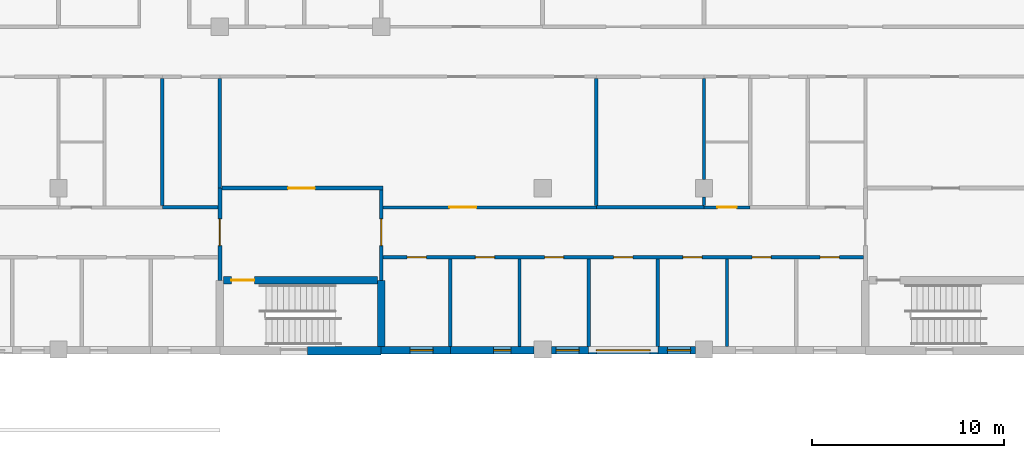
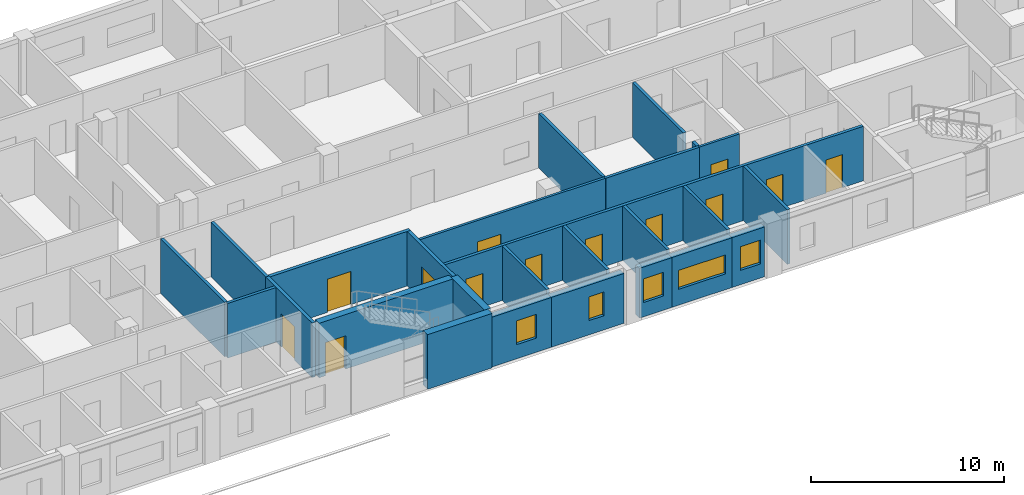
# One storey, part 61 of 94: 26 walls, 13 doors, 5 windows, 18 openings.
"""IFC4 building model written with IfcOpenShell, lengths in metres."""

import ifcopenshell
import ifcopenshell.guid

model = None  # the IFC model being written
_history = None  # IfcOwnerHistory: only IFC2X3 demands one
_inside = {}  # id of a spatial element -> (the spatial element, [elements in it])
_under = {}  # id of a project, library or spatial element -> (it, [spatial elements below it])
_declared = {}  # id of a project -> (the project, [libraries it declares])
_typed = {}  # id of a type object -> (the type object, [elements of that type])
_made_of = {}  # id of a material, layer set ... -> (it, [elements and type objects made of it])


def new_model(schema):
    """Start an empty IFC model of exactly this schema.

    Asked for "IFC4X3", IfcOpenShell would pick the latest addendum, in which some entities
    have other attributes; the version numbers below select the first issue.
    IFC2X3 requires an IfcOwnerHistory on every rooted entity: one is made here for all.
    """
    global model, _history
    if schema == "IFC4X3":
        model = ifcopenshell.file(schema_version=(4, 3, 0, 0))
    else:
        model = ifcopenshell.file(schema=schema)
    _inside.clear()
    _under.clear()
    _declared.clear()
    _typed.clear()
    _made_of.clear()
    _history = None
    if model.schema == "IFC2X3":
        org = make("IfcOrganization", Name="unknown")
        user = make(
            "IfcPersonAndOrganization",
            ThePerson=make("IfcPerson", FamilyName="unknown"),
            TheOrganization=org,
        )
        app = make(
            "IfcApplication",
            ApplicationDeveloper=org,
            Version="unknown",
            ApplicationFullName="unknown",
            ApplicationIdentifier="unknown",
        )
        _history = make(
            "IfcOwnerHistory",
            OwningUser=user,
            OwningApplication=app,
            ChangeAction="ADDED",
            CreationDate=0,
        )
    return model


def make(cls, **values):
    """One entity of the class cls with the attributes given. An attribute that is None is left unset."""
    return model.create_entity(
        cls, **{name: value for name, value in values.items() if value is not None}
    )


def rooted(cls, **values):
    """An entity with a GlobalId (a new one), such as an element, a storey or a relation."""
    return make(cls, GlobalId=ifcopenshell.guid.new(), OwnerHistory=_history, **values)


def si_unit(unit_type, name, prefix=None):
    """IfcSIUnit, for example si_unit("LENGTHUNIT", "METRE", prefix="MILLI")."""
    return make("IfcSIUnit", UnitType=unit_type, Prefix=prefix, Name=name)


def assignment(units):
    """IfcUnitAssignment: the units of a project."""
    return None if units is None else make("IfcUnitAssignment", Units=units)


def point(xyz):
    """IfcCartesianPoint."""
    return None if xyz is None else make("IfcCartesianPoint", Coordinates=xyz)


def direction(xyz):
    """IfcDirection."""
    return None if xyz is None else make("IfcDirection", DirectionRatios=xyz)


def frame(location, z_axis=None, x_axis=None):
    """IfcAxis2Placement3D, a coordinate frame: its origin and axes. An axis left out is left unset."""
    return make(
        "IfcAxis2Placement3D",
        Location=point(location),
        Axis=direction(z_axis),
        RefDirection=direction(x_axis),
    )


def frame_2d(location, x_axis=None):
    """IfcAxis2Placement2D, a coordinate frame in the plane: its origin and x axis."""
    return make(
        "IfcAxis2Placement2D", Location=point(location), RefDirection=direction(x_axis)
    )


def origin():
    """The frame at (0, 0, 0) with its axes left unset."""
    return frame((0.0, 0.0, 0.0))


def place(relative_to, where):
    """IfcLocalPlacement: puts the frame where relative to a parent placement (None: the world)."""
    return make(
        "IfcLocalPlacement", PlacementRelTo=relative_to, RelativePlacement=where
    )


def context(
    kind, dimensions, precision=None, world=None, true_north=None, identifier=None
):
    """IfcGeometricRepresentationContext, for example the 3D "Model" context."""
    return make(
        "IfcGeometricRepresentationContext",
        ContextIdentifier=identifier,
        ContextType=kind,
        CoordinateSpaceDimension=dimensions,
        Precision=precision,
        WorldCoordinateSystem=world,
        TrueNorth=true_north,
    )


def subcontext(parent, identifier, kind, view, scale=None):
    """IfcGeometricRepresentationSubContext, for example "Body" below "Model"."""
    return make(
        "IfcGeometricRepresentationSubContext",
        ContextIdentifier=identifier,
        ContextType=kind,
        ParentContext=parent,
        TargetScale=scale,
        TargetView=view,
    )


def project(units=None, contexts=None):
    """IfcProject with its units and contexts."""
    return rooted(
        "IfcProject",
        Name="project",
        RepresentationContexts=contexts,
        UnitsInContext=assignment(units),
    )


def spatial(cls, under=None, at=None, **own):
    """A site, building, storey or space (cls), placed at a placement, below another one or the project."""
    s = rooted(cls, ObjectPlacement=at, **own)
    if under is not None:
        _under.setdefault(under.id(), (under, []))[1].append(s)
    return s


def profile(cls, at=None, kind="AREA", **sizes):
    """A parametric profile (cls). Its sizes go by their IFC names, for example OverallWidth=200.0."""
    return make(cls, ProfileType=kind, Position=at, **sizes)


def rectangle(**sizes):
    """IfcRectangleProfileDef."""
    return profile("IfcRectangleProfileDef", **sizes)


def extrude(swept, where, along, depth):
    """IfcExtrudedAreaSolid: the profile swept, set in the frame where, extruded along a direction by depth."""
    return make(
        "IfcExtrudedAreaSolid",
        SweptArea=swept,
        Position=where,
        ExtrudedDirection=direction(along),
        Depth=depth,
    )


def shape(context_of_items, identifier, shape_type, items):
    """IfcShapeRepresentation: the items that make up one representation, for example the "Body"."""
    return make(
        "IfcShapeRepresentation",
        ContextOfItems=context_of_items,
        RepresentationIdentifier=identifier,
        RepresentationType=shape_type,
        Items=items,
    )


def material(Name=None, Category=None):
    """IfcMaterial."""
    return make("IfcMaterial", Name=Name, Category=Category)


def layer(
    of_material, thickness, ventilated=None, Name=None, Category=None, Priority=None
):
    """IfcMaterialLayer: one layer of a wall or slab, of a material (None: an air gap)."""
    return make(
        "IfcMaterialLayer",
        Material=of_material,
        LayerThickness=thickness,
        IsVentilated=ventilated,
        Name=Name,
        Category=Category,
        Priority=Priority,
    )


def layer_set(layers, Name=None):
    """IfcMaterialLayerSet."""
    return make("IfcMaterialLayerSet", MaterialLayers=layers, LayerSetName=Name)


def made_of(thing, what):
    """Note that an element or type object is made of a material, layer set ...; save() writes the relation."""
    if what is not None:
        _made_of.setdefault(what.id(), (what, []))[1].append(thing)
    return thing


def type_object(cls, material=None, **own):
    """A type object (cls), such as IfcWallType, which elements share."""
    return made_of(rooted(cls, **own), material)


def element(
    cls,
    number,
    at=None,
    inside=None,
    cuts=None,
    type_object=None,
    material=None,
    context=None,
    identifier="Body",
    shape_type=None,
    held_by="IfcProductDefinitionShape",
    body=None,
    shapes=None,
    **own,
):
    """One element of the class cls, such as IfcWall. Its Tag is "e" and its number.

    at: its placement. inside: the storey or other place that contains it. cuts: it is an
    opening in that element (IfcRelVoidsElement). A single representation is given by context,
    identifier, shape_type and body (its items); several are given by shapes. held_by: the class
    of the entity that holds the representations. save() writes the other relations.
    """
    e = rooted(cls, Tag="e%d" % number, ObjectPlacement=at, **own)
    if body is not None:
        shapes = [shape(context, identifier, shape_type, body)]
    if shapes is not None:
        e.Representation = make(held_by, Representations=shapes)
    if inside is not None:
        _inside.setdefault(inside.id(), (inside, []))[1].append(e)
    if cuts is not None:
        rooted(
            "IfcRelVoidsElement", RelatingBuildingElement=cuts, RelatedOpeningElement=e
        )
    if type_object is not None:
        _typed.setdefault(type_object.id(), (type_object, []))[1].append(e)
    return made_of(e, material)


def fill(opening, filler):
    """IfcRelFillsElement: the door or window that sits in an opening."""
    return rooted(
        "IfcRelFillsElement",
        RelatingOpeningElement=opening,
        RelatedBuildingElement=filler,
    )


def aggregate(whole, parts):
    """IfcRelAggregates: a whole, such as a stair, and the parts it consists of."""
    return rooted("IfcRelAggregates", RelatingObject=whole, RelatedObjects=parts)


def save(model, path):
    """Write the relations noted so far, then the file.

    IfcRelAggregates (storeys below a building ...), IfcRelContainedInSpatialStructure (elements
    in a storey), IfcRelDefinesByType, IfcRelAssociatesMaterial and IfcRelDeclares: one each for
    every whole, place, type object, material and project.
    """
    for whole, parts in _under.values():
        aggregate(whole, parts)
    for where, things in _inside.values():
        rooted(
            "IfcRelContainedInSpatialStructure",
            RelatedElements=things,
            RelatingStructure=where,
        )
    for kind, things in _typed.values():
        rooted("IfcRelDefinesByType", RelatedObjects=things, RelatingType=kind)
    for what, things in _made_of.values():
        rooted("IfcRelAssociatesMaterial", RelatedObjects=things, RelatingMaterial=what)
    for by, libraries in _declared.values():
        rooted("IfcRelDeclares", RelatingContext=by, RelatedDefinitions=libraries)
    model.write(path)


model = new_model("IFC4")

# Units and contexts
model_context = context("Model", 3, precision=1e-05, world=origin(), true_north=direction((0.0, 1.0)))
body_context = subcontext(model_context, "Body", "Model", "MODEL_VIEW")
ifc_project = project(units=[si_unit("LENGTHUNIT", "METRE"), si_unit("AREAUNIT", "SQUARE_METRE"), si_unit("VOLUMEUNIT", "CUBIC_METRE"), si_unit("PLANEANGLEUNIT", "RADIAN"), si_unit("MASSUNIT", "GRAM", prefix="KILO")], contexts=[model_context])

# Site, building, storey
site_placement = place(None, origin())
site = spatial("IfcSite", under=ifc_project, at=site_placement, CompositionType="ELEMENT")
building_placement = place(site_placement, origin())
building = spatial("IfcBuilding", under=site, at=building_placement, Name="Yavir Park General Hospital", CompositionType="ELEMENT")
storey_placement = place(building_placement, frame((0.0, 0.0, 4.5)))
storey = spatial("IfcBuildingStorey", under=building, at=storey_placement, Name="L01", CompositionType="ELEMENT", Elevation=4.5)

# Wall, openings, doors
ifc_material_1 = material(Name="Double-leaf gypsum board acoustic partition on staggered studs")
ifc_layer_1 = layer(ifc_material_1, 0.175048828125)
ifc_layer_set_1 = layer_set([ifc_layer_1], Name="Double-leaf gypsum board acoustic partition on staggered studs")
wall_type_1 = type_object("IfcWallType", Name="Acoustic partition 175", PredefinedType="PARTITIONING", material=ifc_layer_set_1)
wall_1_placement = place(storey_placement, frame((109.300048828125, 4.800048828125, 0.0), z_axis=(0.0, 0.0, 1.0), x_axis=(1.0, 0.0, 0.0)))
wall_1 = element("IfcWall", 1, at=wall_1_placement, inside=storey, type_object=wall_type_1, Name="AP175 L01-008", PredefinedType="PARTITIONING", context=body_context, shape_type="SweptSolid", body=[
    extrude(rectangle(XDim=25.0, YDim=0.175048828125, at=frame_2d((12.5, 0.0))), origin(), (0.0, 0.0, 1.0), 3.449951171875),
])
opening_1_placement = place(wall_1_placement, frame((1.25, 0.0, 0.0)))
opening_1 = element("IfcOpeningElement", 2, at=opening_1_placement, cuts=wall_1, Name="Opening L01.D020", PredefinedType="OPENING", context=body_context, shape_type="SweptSolid", body=[
    extrude(rectangle(XDim=1.0, YDim=2.10009765625, at=frame_2d((0.5, 1.050048828125))), frame((0.0, 0.097412109375, 0.0), z_axis=(0.0, -1.0, 0.0), x_axis=(1.0, 0.0, 0.0)), (0.0, 0.0, 1.0), 0.195068359375),
])
opening_2_placement = place(wall_1_placement, frame((4.800048828125, 0.0, 0.0)))
opening_2 = element("IfcOpeningElement", 3, at=opening_2_placement, cuts=wall_1, Name="Opening L01.D021", PredefinedType="OPENING", context=body_context, shape_type="SweptSolid", body=[
    extrude(rectangle(XDim=1.0, YDim=2.10009765625, at=frame_2d((0.5, 1.050048828125))), frame((0.0, 0.097412109375, 0.0), z_axis=(0.0, -1.0, 0.0), x_axis=(1.0, 0.0, 0.0)), (0.0, 0.0, 1.0), 0.195068359375),
])
opening_3_placement = place(wall_1_placement, frame((8.39990234375, 0.0, 0.0)))
opening_3 = element("IfcOpeningElement", 4, at=opening_3_placement, cuts=wall_1, Name="Opening L01.D022", PredefinedType="OPENING", context=body_context, shape_type="SweptSolid", body=[
    extrude(rectangle(XDim=1.0, YDim=2.10009765625, at=frame_2d((0.5, 1.050048828125))), frame((0.0, 0.097412109375, 0.0), z_axis=(0.0, -1.0, 0.0), x_axis=(1.0, 0.0, 0.0)), (0.0, 0.0, 1.0), 0.195068359375),
])
opening_4_placement = place(wall_1_placement, frame((12.0, 0.0, 0.0)))
opening_4 = element("IfcOpeningElement", 5, at=opening_4_placement, cuts=wall_1, Name="Opening L01.D023", PredefinedType="OPENING", context=body_context, shape_type="SweptSolid", body=[
    extrude(rectangle(XDim=1.0, YDim=2.10009765625, at=frame_2d((0.5, 1.050048828125))), frame((0.0, 0.097412109375, 0.0), z_axis=(0.0, -1.0, 0.0), x_axis=(1.0, 0.0, 0.0)), (0.0, 0.0, 1.0), 0.195068359375),
])
opening_5_placement = place(wall_1_placement, frame((15.60009765625, 0.0, 0.0)))
opening_5 = element("IfcOpeningElement", 6, at=opening_5_placement, cuts=wall_1, Name="Opening L01.D024", PredefinedType="OPENING", context=body_context, shape_type="SweptSolid", body=[
    extrude(rectangle(XDim=1.0, YDim=2.10009765625, at=frame_2d((0.5, 1.050048828125))), frame((0.0, 0.097412109375, 0.0), z_axis=(0.0, -1.0, 0.0), x_axis=(1.0, 0.0, 0.0)), (0.0, 0.0, 1.0), 0.195068359375),
])
opening_6_placement = place(wall_1_placement, frame((19.199951171875, 0.0, 0.0)))
opening_6 = element("IfcOpeningElement", 7, at=opening_6_placement, cuts=wall_1, Name="Opening L01.D025", PredefinedType="OPENING", context=body_context, shape_type="SweptSolid", body=[
    extrude(rectangle(XDim=1.0, YDim=2.10009765625, at=frame_2d((0.5, 1.050048828125))), frame((0.0, 0.097412109375, 0.0), z_axis=(0.0, -1.0, 0.0), x_axis=(1.0, 0.0, 0.0)), (0.0, 0.0, 1.0), 0.195068359375),
])
opening_7_placement = place(wall_1_placement, frame((22.75, 0.0, 0.0)))
opening_7 = element("IfcOpeningElement", 8, at=opening_7_placement, cuts=wall_1, Name="Opening L01.D026", PredefinedType="OPENING", context=body_context, shape_type="SweptSolid", body=[
    extrude(rectangle(XDim=1.0, YDim=2.10009765625, at=frame_2d((0.5, 1.050048828125))), frame((0.0, 0.097412109375, 0.0), z_axis=(0.0, -1.0, 0.0), x_axis=(1.0, 0.0, 0.0)), (0.0, 0.0, 1.0), 0.195068359375),
])
ifc_material_2 = material(Name="Sealed solid-core acoustic door leaf, Rw 42 dB")
door_type_1 = type_object("IfcDoorType", Name="Acoustic door 1000 x 2100", OperationType="SINGLE_SWING_LEFT", PredefinedType="DOOR", material=ifc_material_2)
door_1_placement = place(opening_1_placement, origin())
door_1 = element("IfcDoor", 9, at=door_1_placement, inside=storey, type_object=door_type_1, Name="L01.D020", OperationType="SINGLE_SWING_RIGHT", OverallHeight=2.10009765625, OverallWidth=1.0, PredefinedType="DOOR", context=body_context, shape_type="SweptSolid", body=[
    extrude(rectangle(XDim=1.0, YDim=2.10009765625, at=frame_2d((0.5, 1.050048828125))), frame((0.0, 0.03515625, 0.0), z_axis=(0.0, -1.0, 0.0), x_axis=(1.0, 0.0, 0.0)), (0.0, 0.0, 1.0), 0.070068359375),
])
fill(opening_1, door_1)
door_2_placement = place(opening_2_placement, origin())
door_2 = element("IfcDoor", 10, at=door_2_placement, inside=storey, type_object=door_type_1, Name="L01.D021", OperationType="SINGLE_SWING_LEFT", OverallHeight=2.10009765625, OverallWidth=1.0, PredefinedType="DOOR", context=body_context, shape_type="SweptSolid", body=[
    extrude(rectangle(XDim=1.0, YDim=2.10009765625, at=frame_2d((0.5, 1.050048828125))), frame((0.0, 0.03515625, 0.0), z_axis=(0.0, -1.0, 0.0), x_axis=(1.0, 0.0, 0.0)), (0.0, 0.0, 1.0), 0.070068359375),
])
fill(opening_2, door_2)
door_3_placement = place(opening_3_placement, origin())
door_3 = element("IfcDoor", 11, at=door_3_placement, inside=storey, type_object=door_type_1, Name="L01.D022", OperationType="SINGLE_SWING_LEFT", OverallHeight=2.10009765625, OverallWidth=1.0, PredefinedType="DOOR", context=body_context, shape_type="SweptSolid", body=[
    extrude(rectangle(XDim=1.0, YDim=2.10009765625, at=frame_2d((0.5, 1.050048828125))), frame((0.0, 0.03515625, 0.0), z_axis=(0.0, -1.0, 0.0), x_axis=(1.0, 0.0, 0.0)), (0.0, 0.0, 1.0), 0.070068359375),
])
fill(opening_3, door_3)
door_4_placement = place(opening_4_placement, origin())
door_4 = element("IfcDoor", 12, at=door_4_placement, inside=storey, type_object=door_type_1, Name="L01.D023", OperationType="SINGLE_SWING_LEFT", OverallHeight=2.10009765625, OverallWidth=1.0, PredefinedType="DOOR", context=body_context, shape_type="SweptSolid", body=[
    extrude(rectangle(XDim=1.0, YDim=2.10009765625, at=frame_2d((0.5, 1.050048828125))), frame((0.0, 0.03515625, 0.0), z_axis=(0.0, -1.0, 0.0), x_axis=(1.0, 0.0, 0.0)), (0.0, 0.0, 1.0), 0.070068359375),
])
fill(opening_4, door_4)
door_5_placement = place(opening_5_placement, origin())
door_5 = element("IfcDoor", 13, at=door_5_placement, inside=storey, type_object=door_type_1, Name="L01.D024", OperationType="SINGLE_SWING_LEFT", OverallHeight=2.10009765625, OverallWidth=1.0, PredefinedType="DOOR", context=body_context, shape_type="SweptSolid", body=[
    extrude(rectangle(XDim=1.0, YDim=2.10009765625, at=frame_2d((0.5, 1.050048828125))), frame((0.0, 0.03515625, 0.0), z_axis=(0.0, -1.0, 0.0), x_axis=(1.0, 0.0, 0.0)), (0.0, 0.0, 1.0), 0.070068359375),
])
fill(opening_5, door_5)
door_6_placement = place(opening_6_placement, origin())
door_6 = element("IfcDoor", 14, at=door_6_placement, inside=storey, type_object=door_type_1, Name="L01.D025", OperationType="SINGLE_SWING_LEFT", OverallHeight=2.10009765625, OverallWidth=1.0, PredefinedType="DOOR", context=body_context, shape_type="SweptSolid", body=[
    extrude(rectangle(XDim=1.0, YDim=2.10009765625, at=frame_2d((0.5, 1.050048828125))), frame((0.0, 0.03515625, 0.0), z_axis=(0.0, -1.0, 0.0), x_axis=(1.0, 0.0, 0.0)), (0.0, 0.0, 1.0), 0.070068359375),
])
fill(opening_6, door_6)
door_7_placement = place(opening_7_placement, origin())
door_7 = element("IfcDoor", 15, at=door_7_placement, inside=storey, type_object=door_type_1, Name="L01.D026", OperationType="SINGLE_SWING_LEFT", OverallHeight=2.10009765625, OverallWidth=1.0, PredefinedType="DOOR", context=body_context, shape_type="SweptSolid", body=[
    extrude(rectangle(XDim=1.0, YDim=2.10009765625, at=frame_2d((0.5, 1.050048828125))), frame((0.0, 0.03515625, 0.0), z_axis=(0.0, -1.0, 0.0), x_axis=(1.0, 0.0, 0.0)), (0.0, 0.0, 1.0), 0.070068359375),
])
fill(opening_7, door_7)

# Walls
wall_2_placement = place(storey_placement, frame((97.800048828125, 7.39990234375, 0.0), z_axis=(0.0, 0.0, 1.0), x_axis=(1.0, 0.0, 0.0)))
element("IfcWall", 16, at=wall_2_placement, inside=storey, type_object=wall_type_1, Name="AP175 L01-023", PredefinedType="PARTITIONING", context=body_context, shape_type="SweptSolid", body=[
    extrude(rectangle(XDim=2.89990234375, YDim=0.175048828125, at=frame_2d((1.449951171875, 0.0))), origin(), (0.0, 0.0, 1.0), 3.449951171875),
])
wall_3_placement = place(storey_placement, frame((120.39990234375, 7.39990234375, 0.0), z_axis=(0.0, 0.0, 1.0), x_axis=(1.0, 0.0, 0.0)))
element("IfcWall", 17, at=wall_3_placement, inside=storey, type_object=wall_type_1, Name="AP175 L01-025", PredefinedType="PARTITIONING", context=body_context, shape_type="SweptSolid", body=[
    extrude(rectangle(XDim=5.60009765625, YDim=0.175048828125, at=frame_2d((2.800048828125, 0.0))), origin(), (0.0, 0.0, 1.0), 3.449951171875),
])
wall_4_placement = place(storey_placement, frame((97.800048828125, 7.487548828125, 0.0), z_axis=(0.0, 0.0, 1.0), x_axis=(0.0, 1.0, 0.0)))
element("IfcWall", 18, at=wall_4_placement, inside=storey, type_object=wall_type_1, Name="AP175 L01-409", PredefinedType="PARTITIONING", context=body_context, shape_type="SweptSolid", body=[
    extrude(rectangle(XDim=6.625, YDim=0.175048828125, at=frame_2d((3.3125, 0.0))), origin(), (0.0, 0.0, 1.0), 3.449951171875),
])
wall_5_placement = place(storey_placement, frame((100.800048828125, 8.39990234375, 0.0), z_axis=(0.0, 0.0, 1.0), x_axis=(0.0, 1.0, 0.0)))
element("IfcWall", 19, at=wall_5_placement, inside=storey, type_object=wall_type_1, Name="AP175 L01-414", PredefinedType="PARTITIONING", context=body_context, shape_type="SweptSolid", body=[
    extrude(rectangle(XDim=5.712646484375, YDim=0.175048828125, at=frame_2d((2.8564453125, 0.0))), origin(), (0.0, 0.0, 1.0), 3.449951171875),
])
for number, where, z_axis, x_axis, name in (
    (20, (112.800048828125, 0.14990234375, 0.0), (0.0, 0.0, 1.0), (0.0, 1.0, 0.0), "AP175 L01-423"),
    (21, (116.39990234375, 0.14990234375, 0.0), (0.0, 0.0, 1.0), (0.0, 1.0, 0.0), "AP175 L01-424"),
    (22, (120.0, 0.14990234375, 0.0), (0.0, 0.0, 1.0), (0.0, 1.0, 0.0), "AP175 L01-429"),
):
    element("IfcWall", number, at=place(storey_placement, frame(where, z_axis=z_axis, x_axis=x_axis)), inside=storey, type_object=wall_type_1, Name=name, PredefinedType="PARTITIONING", context=body_context, shape_type="SweptSolid", body=[
        extrude(rectangle(XDim=4.5625, YDim=0.175048828125, at=frame_2d((2.28125, 0.0))), origin(), (0.0, 0.0, 1.0), 3.449951171875),
    ])
wall_6_placement = place(storey_placement, frame((120.39990234375, 7.487548828125, 0.0), z_axis=(0.0, 0.0, 1.0), x_axis=(0.0, 1.0, 0.0)))
element("IfcWall", 23, at=wall_6_placement, inside=storey, type_object=wall_type_1, Name="AP175 L01-430", PredefinedType="PARTITIONING", context=body_context, shape_type="SweptSolid", body=[
    extrude(rectangle(XDim=6.625, YDim=0.175048828125, at=frame_2d((3.3125, 0.0))), origin(), (0.0, 0.0, 1.0), 3.449951171875),
])
wall_7_placement = place(storey_placement, frame((123.60009765625, 0.14990234375, 0.0), z_axis=(0.0, 0.0, 1.0), x_axis=(0.0, 1.0, 0.0)))
element("IfcWall", 24, at=wall_7_placement, inside=storey, type_object=wall_type_1, Name="AP175 L01-433", PredefinedType="PARTITIONING", context=body_context, shape_type="SweptSolid", body=[
    extrude(rectangle(XDim=4.5625, YDim=0.175048828125, at=frame_2d((2.28125, 0.0))), origin(), (0.0, 0.0, 1.0), 3.449951171875),
])
wall_8_placement = place(storey_placement, frame((126.0, 7.487548828125, 0.0), z_axis=(0.0, 0.0, 1.0), x_axis=(0.0, 1.0, 0.0)))
element("IfcWall", 25, at=wall_8_placement, inside=storey, type_object=wall_type_1, Name="AP175 L01-435", PredefinedType="PARTITIONING", context=body_context, shape_type="SweptSolid", body=[
    extrude(rectangle(XDim=0.46240234375, YDim=0.175048828125, at=frame_2d((0.231201171875, 0.0))), origin(), (0.0, 0.0, 1.0), 3.449951171875),
])
wall_9_placement = place(storey_placement, frame((126.0, 8.85009765625, 0.0), z_axis=(0.0, 0.0, 1.0), x_axis=(0.0, 1.0, 0.0)))
element("IfcWall", 26, at=wall_9_placement, inside=storey, type_object=wall_type_1, Name="AP175 L01-436", PredefinedType="PARTITIONING", context=body_context, shape_type="SweptSolid", body=[
    extrude(rectangle(XDim=5.262451171875, YDim=0.175048828125, at=frame_2d((2.63134765625, 0.0))), origin(), (0.0, 0.0, 1.0), 3.449951171875),
])
wall_10_placement = place(storey_placement, frame((127.199951171875, 0.14990234375, 0.0), z_axis=(0.0, 0.0, 1.0), x_axis=(0.0, 1.0, 0.0)))
element("IfcWall", 27, at=wall_10_placement, inside=storey, type_object=wall_type_1, Name="AP175 L01-440", PredefinedType="PARTITIONING", context=body_context, shape_type="SweptSolid", body=[
    extrude(rectangle(XDim=4.5625, YDim=0.175048828125, at=frame_2d((2.28125, 0.0))), origin(), (0.0, 0.0, 1.0), 3.449951171875),
])

# Wall, opening, door
ifc_material_3 = material(Name="Double gypsum board fire partition on steel studs", Category="steel")
ifc_layer_2 = layer(ifc_material_3, 0.199951171875)
ifc_layer_set_2 = layer_set([ifc_layer_2], Name="Double gypsum board fire partition on steel studs")
wall_type_2 = type_object("IfcWallType", Name="Fire-rated partition 200, EI 60", PredefinedType="PARTITIONING", material=ifc_layer_set_2)
wall_11_placement = place(storey_placement, frame((100.89990234375, 8.39990234375, 0.0), z_axis=(0.0, 0.0, 1.0), x_axis=(1.0, 0.0, 0.0)))
wall_11 = element("IfcWall", 28, at=wall_11_placement, inside=storey, type_object=wall_type_2, Name="FP20 L01-031", PredefinedType="PARTITIONING", context=body_context, shape_type="SweptSolid", body=[
    extrude(rectangle(XDim=8.400146484375, YDim=0.199951171875, at=frame_2d((4.2001953125, 0.0))), origin(), (0.0, 0.0, 1.0), 3.449951171875),
])
opening_8_placement = place(wall_11_placement, frame((3.449951171875, 0.0, 0.0)))
opening_8 = element("IfcOpeningElement", 29, at=opening_8_placement, cuts=wall_11, Name="Opening L01.D047", PredefinedType="OPENING", context=body_context, shape_type="SweptSolid", body=[
    extrude(rectangle(XDim=1.39990234375, YDim=2.10009765625, at=frame_2d((0.699951171875, 1.050048828125))), frame((0.0, 0.10986328125, 0.0), z_axis=(0.0, -1.0, 0.0), x_axis=(1.0, 0.0, 0.0)), (0.0, 0.0, 1.0), 0.219970703125),
])
ifc_material_4 = material(Name="Steel frame, fire-resisting timber leaves", Category="steel")
door_type_2 = type_object("IfcDoorType", Name="Double fire door 1400 x 2100, EI 60", OperationType="DOUBLE_DOOR_SINGLE_SWING", PredefinedType="DOOR", material=ifc_material_4)
door_8_placement = place(opening_8_placement, origin())
door_8 = element("IfcDoor", 30, at=door_8_placement, inside=storey, type_object=door_type_2, Name="L01.D047", OperationType="SINGLE_SWING_RIGHT", OverallHeight=2.10009765625, OverallWidth=1.39990234375, PredefinedType="DOOR", context=body_context, shape_type="SweptSolid", body=[
    extrude(rectangle(XDim=1.39990234375, YDim=2.10009765625, at=frame_2d((0.699951171875, 1.050048828125))), frame((0.0, 0.02490234375, 0.0), z_axis=(0.0, -1.0, 0.0), x_axis=(1.0, 0.0, 0.0)), (0.0, 0.0, 1.0), 0.050048828125),
])
fill(opening_8, door_8)

wall_12_placement = place(storey_placement, frame((100.800048828125, 3.60009765625, 0.0), z_axis=(0.0, 0.0, 1.0), x_axis=(0.0, 1.0, 0.0)))
wall_12 = element("IfcWall", 31, at=wall_12_placement, inside=storey, type_object=wall_type_2, Name="FP20 L01-413", PredefinedType="PARTITIONING", context=body_context, shape_type="SweptSolid", body=[
    extrude(rectangle(XDim=4.7998046875, YDim=0.199951171875, at=frame_2d((2.39990234375, 0.0))), origin(), (0.0, 0.0, 1.0), 3.449951171875),
])
opening_9_placement = place(wall_12_placement, frame((1.800048828125, 0.0, 0.0)))
opening_9 = element("IfcOpeningElement", 32, at=opening_9_placement, cuts=wall_12, Name="Opening L01.D238", PredefinedType="OPENING", context=body_context, shape_type="SweptSolid", body=[
    extrude(rectangle(XDim=1.39990234375, YDim=2.10009765625, at=frame_2d((0.699951171875, 1.050048828125))), frame((0.0, 0.10986328125, 0.0), z_axis=(0.0, -1.0, 0.0), x_axis=(1.0, 0.0, 0.0)), (0.0, 0.0, 1.0), 0.219970703125),
])
ifc_material_5 = material(Name="Steel frame, fire-resisting leaves with vision panels", Category="steel")
door_type_3 = type_object("IfcDoorType", Name="Double fire door with vision panels 1400 x 2100, EI 60", OperationType="DOUBLE_DOOR_SINGLE_SWING", PredefinedType="DOOR", material=ifc_material_5)
door_9_placement = place(opening_9_placement, origin())
door_9 = element("IfcDoor", 33, at=door_9_placement, inside=storey, type_object=door_type_3, Name="L01.D238", OperationType="SINGLE_SWING_RIGHT", OverallHeight=2.10009765625, OverallWidth=1.39990234375, PredefinedType="DOOR", context=body_context, shape_type="SweptSolid", body=[
    extrude(rectangle(XDim=1.39990234375, YDim=2.10009765625, at=frame_2d((0.699951171875, 1.050048828125))), frame((0.0, 0.030029296875, 0.0), z_axis=(0.0, -1.0, 0.0), x_axis=(1.0, 0.0, 0.0)), (0.0, 0.0, 1.0), 0.06005859375),
])
fill(opening_9, door_9)

wall_13_placement = place(storey_placement, frame((109.199951171875, 3.60009765625, 0.0), z_axis=(0.0, 0.0, 1.0), x_axis=(0.0, 1.0, 0.0)))
wall_13 = element("IfcWall", 34, at=wall_13_placement, inside=storey, type_object=wall_type_2, Name="FP20 L01-419", PredefinedType="PARTITIONING", context=body_context, shape_type="SweptSolid", body=[
    extrude(rectangle(XDim=4.699951171875, YDim=0.199951171875, at=frame_2d((2.35009765625, 0.0))), origin(), (0.0, 0.0, 1.0), 3.449951171875),
])
opening_10_placement = place(wall_13_placement, frame((1.800048828125, 0.0, 0.0)))
opening_10 = element("IfcOpeningElement", 35, at=opening_10_placement, cuts=wall_13, Name="Opening L01.D239", PredefinedType="OPENING", context=body_context, shape_type="SweptSolid", body=[
    extrude(rectangle(XDim=1.39990234375, YDim=2.10009765625, at=frame_2d((0.699951171875, 1.050048828125))), frame((0.0, 0.10986328125, 0.0), z_axis=(0.0, -1.0, 0.0), x_axis=(1.0, 0.0, 0.0)), (0.0, 0.0, 1.0), 0.219970703125),
])
door_10_placement = place(opening_10_placement, origin())
door_10 = element("IfcDoor", 36, at=door_10_placement, inside=storey, type_object=door_type_3, Name="L01.D239", OperationType="SINGLE_SWING_LEFT", OverallHeight=2.10009765625, OverallWidth=1.39990234375, PredefinedType="DOOR", context=body_context, shape_type="SweptSolid", body=[
    extrude(rectangle(XDim=1.39990234375, YDim=2.10009765625, at=frame_2d((0.699951171875, 1.050048828125))), frame((0.0, 0.030029296875, 0.0), z_axis=(0.0, -1.0, 0.0), x_axis=(1.0, 0.0, 0.0)), (0.0, 0.0, 1.0), 0.06005859375),
])
fill(opening_10, door_10)

ifc_material_6 = material(Name="Gypsum board partition on steel studs", Category="steel")
ifc_layer_3 = layer(ifc_material_6, 0.14990234375)
ifc_layer_set_3 = layer_set([ifc_layer_3], Name="Gypsum board partition on steel studs")
wall_type_3 = type_object("IfcWallType", Name="Gypsum board partition 150", PredefinedType="PARTITIONING", material=ifc_layer_set_3)
wall_14_placement = place(storey_placement, frame((109.300048828125, 7.39990234375, 0.0), z_axis=(0.0, 0.0, 1.0), x_axis=(1.0, 0.0, 0.0)))
wall_14 = element("IfcWall", 37, at=wall_14_placement, inside=storey, type_object=wall_type_3, Name="P15 L01-024", PredefinedType="PARTITIONING", context=body_context, shape_type="SweptSolid", body=[
    extrude(rectangle(XDim=11.099853515625, YDim=0.14990234375, at=frame_2d((5.5498046875, 0.0))), origin(), (0.0, 0.0, 1.0), 3.449951171875),
])
opening_11_placement = place(wall_14_placement, frame((3.449951171875, 0.0, 0.0)))
opening_11 = element("IfcOpeningElement", 38, at=opening_11_placement, cuts=wall_14, Name="Opening L01.D042", PredefinedType="OPENING", context=body_context, shape_type="SweptSolid", body=[
    extrude(rectangle(XDim=1.39990234375, YDim=2.10009765625, at=frame_2d((0.699951171875, 1.050048828125))), frame((0.0, 0.0849609375, 0.0), z_axis=(0.0, -1.0, 0.0), x_axis=(1.0, 0.0, 0.0)), (0.0, 0.0, 1.0), 0.169921875),
])
ifc_material_7 = material(Name="Hollow metal frame, solid-core timber leaf", Category="wood")
door_type_4 = type_object("IfcDoorType", Name="Double swing door 1400 x 2100", OperationType="DOUBLE_DOOR_SINGLE_SWING", PredefinedType="DOOR", material=ifc_material_7)
door_11_placement = place(opening_11_placement, origin())
door_11 = element("IfcDoor", 39, at=door_11_placement, inside=storey, type_object=door_type_4, Name="L01.D042", OperationType="SINGLE_SWING_LEFT", OverallHeight=2.10009765625, OverallWidth=1.39990234375, PredefinedType="DOOR", context=body_context, shape_type="SweptSolid", body=[
    extrude(rectangle(XDim=1.39990234375, YDim=2.10009765625, at=frame_2d((0.699951171875, 1.050048828125))), frame((0.0, 0.02490234375, 0.0), z_axis=(0.0, -1.0, 0.0), x_axis=(1.0, 0.0, 0.0)), (0.0, 0.0, 1.0), 0.050048828125),
])
fill(opening_11, door_11)

wall_15_placement = place(storey_placement, frame((126.0, 7.39990234375, 0.0), z_axis=(0.0, 0.0, 1.0), x_axis=(1.0, 0.0, 0.0)))
wall_15 = element("IfcWall", 40, at=wall_15_placement, inside=storey, type_object=wall_type_3, Name="P15 L01-026", PredefinedType="PARTITIONING", context=body_context, shape_type="SweptSolid", body=[
    extrude(rectangle(XDim=2.39990234375, YDim=0.14990234375, at=frame_2d((1.199951171875, 0.0))), origin(), (0.0, 0.0, 1.0), 3.449951171875),
])
opening_12_placement = place(wall_15_placement, frame((0.699951171875, 0.0, 0.0)))
opening_12 = element("IfcOpeningElement", 41, at=opening_12_placement, cuts=wall_15, Name="Opening L01.D043", PredefinedType="OPENING", context=body_context, shape_type="SweptSolid", body=[
    extrude(rectangle(XDim=1.0, YDim=2.10009765625, at=frame_2d((0.5, 1.050048828125))), frame((0.0, 0.0849609375, 0.0), z_axis=(0.0, -1.0, 0.0), x_axis=(1.0, 0.0, 0.0)), (0.0, 0.0, 1.0), 0.169921875),
])
ifc_material_8 = material(Name="Hollow metal frame, solid-core timber leaf", Category="wood")
door_type_5 = type_object("IfcDoorType", Name="Single swing door 1000 x 2100", OperationType="SINGLE_SWING_LEFT", PredefinedType="DOOR", material=ifc_material_8)
door_12_placement = place(opening_12_placement, origin())
door_12 = element("IfcDoor", 42, at=door_12_placement, inside=storey, type_object=door_type_5, Name="L01.D043", OperationType="SINGLE_SWING_RIGHT", OverallHeight=2.10009765625, OverallWidth=1.0, PredefinedType="DOOR", context=body_context, shape_type="SweptSolid", body=[
    extrude(rectangle(XDim=1.0, YDim=2.10009765625, at=frame_2d((0.5, 1.050048828125))), frame((0.0, 0.02490234375, 0.0), z_axis=(0.0, -1.0, 0.0), x_axis=(1.0, 0.0, 0.0)), (0.0, 0.0, 1.0), 0.050048828125),
])
fill(opening_12, door_12)

# Wall, opening, window
ifc_material_9 = material(Name="Autoclaved aerated block, 150 mm mineral wool and sand-coloured mineral render")
ifc_layer_4 = layer(ifc_material_9, 0.375)
ifc_layer_set_4 = layer_set([ifc_layer_4], Name="Autoclaved aerated block, 150 mm mineral wool and sand-coloured mineral render")
wall_type_4 = type_object("IfcWallType", Name="Mineral render clinical wall 375, E 30", PredefinedType="SOLIDWALL", material=ifc_layer_set_4)
wall_16_placement = place(storey_placement, frame((109.199951171875, -0.03759765625, 0.0), z_axis=(0.0, 0.0, 1.0), x_axis=(1.0, 0.0, 0.0)))
wall_16 = element("IfcWall", 43, at=wall_16_placement, inside=storey, type_object=wall_type_4, Name="XW1 L01-033", PredefinedType="SOLIDWALL", context=body_context, shape_type="SweptSolid", body=[
    extrude(rectangle(XDim=3.60009765625, YDim=0.375, at=frame_2d((1.800048828125, 0.0))), origin(), (0.0, 0.0, 1.0), 3.14990234375),
])
opening_13_placement = place(wall_16_placement, frame((1.5, 0.0, 0.89990234375)))
opening_13 = element("IfcOpeningElement", 44, at=opening_13_placement, cuts=wall_16, Name="Opening WD", PredefinedType="OPENING", context=body_context, shape_type="SweptSolid", body=[
    extrude(rectangle(XDim=1.199951171875, YDim=1.5, at=frame_2d((0.60009765625, 0.75))), frame((0.0, 0.197509765625, 0.0), z_axis=(0.0, -1.0, 0.0), x_axis=(1.0, 0.0, 0.0)), (0.0, 0.0, 1.0), 0.39501953125),
])
ifc_material_10 = material(Name="Aluminium frame, double glazed unit", Category="aluminium")
window_type_1 = type_object("IfcWindowType", Name="Office window 1200 x 1500", PartitioningType="SINGLE_PANEL", PredefinedType="WINDOW", material=ifc_material_10)
window_1_placement = place(opening_13_placement, origin())
window_1 = element("IfcWindow", 45, at=window_1_placement, inside=storey, type_object=window_type_1, Name="WD L01-021", OverallHeight=1.5, OverallWidth=1.199951171875, PartitioningType="SINGLE_PANEL", PredefinedType="WINDOW", context=body_context, shape_type="SweptSolid", body=[
    extrude(rectangle(XDim=1.199951171875, YDim=1.5, at=frame_2d((0.60009765625, 0.75))), frame((0.0, 0.030029296875, 0.0), z_axis=(0.0, -1.0, 0.0), x_axis=(1.0, 0.0, 0.0)), (0.0, 0.0, 1.0), 0.06005859375),
])
fill(opening_13, window_1)

wall_17_placement = place(storey_placement, frame((112.800048828125, -0.03759765625, 0.0), z_axis=(0.0, 0.0, 1.0), x_axis=(1.0, 0.0, 0.0)))
wall_17 = element("IfcWall", 46, at=wall_17_placement, inside=storey, type_object=wall_type_4, Name="XW1 L01-034", PredefinedType="SOLIDWALL", context=body_context, shape_type="SweptSolid", body=[
    extrude(rectangle(XDim=4.349853515625, YDim=0.375, at=frame_2d((2.1748046875, 0.0))), origin(), (0.0, 0.0, 1.0), 3.14990234375),
])
opening_14_placement = place(wall_17_placement, frame((2.25, 0.0, 0.89990234375)))
opening_14 = element("IfcOpeningElement", 47, at=opening_14_placement, cuts=wall_17, Name="Opening WH", PredefinedType="OPENING", context=body_context, shape_type="SweptSolid", body=[
    extrude(rectangle(XDim=0.89990234375, YDim=1.5, at=frame_2d((0.449951171875, 0.75))), frame((0.0, 0.197509765625, 0.0), z_axis=(0.0, -1.0, 0.0), x_axis=(1.0, 0.0, 0.0)), (0.0, 0.0, 1.0), 0.39501953125),
])
ifc_material_11 = material(Name="Aluminium frame, double glazed unit", Category="aluminium")
window_type_2 = type_object("IfcWindowType", Name="Narrow window 900 x 1500", PartitioningType="SINGLE_PANEL", PredefinedType="WINDOW", material=ifc_material_11)
window_2_placement = place(opening_14_placement, origin())
window_2 = element("IfcWindow", 48, at=window_2_placement, inside=storey, type_object=window_type_2, Name="WH L01-022", OverallHeight=1.5, OverallWidth=0.89990234375, PartitioningType="SINGLE_PANEL", PredefinedType="WINDOW", context=body_context, shape_type="SweptSolid", body=[
    extrude(rectangle(XDim=0.89990234375, YDim=1.5, at=frame_2d((0.449951171875, 0.75))), frame((0.0, 0.030029296875, 0.0), z_axis=(0.0, -1.0, 0.0), x_axis=(1.0, 0.0, 0.0)), (0.0, 0.0, 1.0), 0.06005859375),
])
fill(opening_14, window_2)

wall_18_placement = place(storey_placement, frame((118.050048828125, -0.03759765625, 0.0), z_axis=(0.0, 0.0, 1.0), x_axis=(1.0, 0.0, 0.0)))
wall_18 = element("IfcWall", 49, at=wall_18_placement, inside=storey, type_object=wall_type_4, Name="XW1 L01-036", PredefinedType="SOLIDWALL", context=body_context, shape_type="SweptSolid", body=[
    extrude(rectangle(XDim=1.949951171875, YDim=0.375, at=frame_2d((0.97509765625, 0.0))), origin(), (0.0, 0.0, 1.0), 3.14990234375),
])
opening_15_placement = place(wall_18_placement, frame((0.25, 0.0, 0.89990234375)))
opening_15 = element("IfcOpeningElement", 50, at=opening_15_placement, cuts=wall_18, Name="Opening WD", PredefinedType="OPENING", context=body_context, shape_type="SweptSolid", body=[
    extrude(rectangle(XDim=1.199951171875, YDim=1.5, at=frame_2d((0.60009765625, 0.75))), frame((0.0, 0.197509765625, 0.0), z_axis=(0.0, -1.0, 0.0), x_axis=(1.0, 0.0, 0.0)), (0.0, 0.0, 1.0), 0.39501953125),
])
window_3_placement = place(opening_15_placement, origin())
window_3 = element("IfcWindow", 51, at=window_3_placement, inside=storey, type_object=window_type_1, Name="WD L01-023", OverallHeight=1.5, OverallWidth=1.199951171875, PartitioningType="SINGLE_PANEL", PredefinedType="WINDOW", context=body_context, shape_type="SweptSolid", body=[
    extrude(rectangle(XDim=1.199951171875, YDim=1.5, at=frame_2d((0.60009765625, 0.75))), frame((0.0, 0.030029296875, 0.0), z_axis=(0.0, -1.0, 0.0), x_axis=(1.0, 0.0, 0.0)), (0.0, 0.0, 1.0), 0.06005859375),
])
fill(opening_15, window_3)

wall_19_placement = place(storey_placement, frame((120.0, -0.03759765625, 0.0), z_axis=(0.0, 0.0, 1.0), x_axis=(1.0, 0.0, 0.0)))
wall_19 = element("IfcWall", 52, at=wall_19_placement, inside=storey, type_object=wall_type_4, Name="XW1 L01-037", PredefinedType="SOLIDWALL", context=body_context, shape_type="SweptSolid", body=[
    extrude(rectangle(XDim=3.60009765625, YDim=0.375, at=frame_2d((1.800048828125, 0.0))), origin(), (0.0, 0.0, 1.0), 3.14990234375),
])
opening_16_placement = place(wall_19_placement, frame((0.39990234375, 0.0, 1.0)))
opening_16 = element("IfcOpeningElement", 53, at=opening_16_placement, cuts=wall_19, Name="Opening WRB", PredefinedType="OPENING", context=body_context, shape_type="SweptSolid", body=[
    extrude(rectangle(XDim=2.800048828125, YDim=1.199951171875, at=frame_2d((1.39990234375, 0.60009765625))), frame((0.0, 0.197509765625, 0.0), z_axis=(0.0, -1.0, 0.0), x_axis=(1.0, 0.0, 0.0)), (0.0, 0.0, 1.0), 0.39501953125),
])
ifc_material_12 = material(Name="Aluminium frame, double glazed unit", Category="aluminium")
window_type_3 = type_object("IfcWindowType", Name="Ribbon window 2800 x 1200", PartitioningType="DOUBLE_PANEL_VERTICAL", PredefinedType="WINDOW", material=ifc_material_12)
window_4_placement = place(opening_16_placement, origin())
window_4 = element("IfcWindow", 54, at=window_4_placement, inside=storey, type_object=window_type_3, Name="WRB L01-024", OverallHeight=1.199951171875, OverallWidth=2.800048828125, PartitioningType="DOUBLE_PANEL_VERTICAL", PredefinedType="WINDOW", context=body_context, shape_type="SweptSolid", body=[
    extrude(rectangle(XDim=2.800048828125, YDim=1.199951171875, at=frame_2d((1.39990234375, 0.60009765625))), frame((0.0, 0.030029296875, 0.0), z_axis=(0.0, -1.0, 0.0), x_axis=(1.0, 0.0, 0.0)), (0.0, 0.0, 1.0), 0.06005859375),
])
fill(opening_16, window_4)

wall_20_placement = place(storey_placement, frame((123.60009765625, -0.03759765625, 0.0), z_axis=(0.0, 0.0, 1.0), x_axis=(1.0, 0.0, 0.0)))
wall_20 = element("IfcWall", 55, at=wall_20_placement, inside=storey, type_object=wall_type_4, Name="XW1 L01-038", PredefinedType="SOLIDWALL", context=body_context, shape_type="SweptSolid", body=[
    extrude(rectangle(XDim=1.949951171875, YDim=0.375, at=frame_2d((0.97509765625, 0.0))), origin(), (0.0, 0.0, 1.0), 3.14990234375),
])
opening_17_placement = place(wall_20_placement, frame((0.5, 0.0, 0.89990234375)))
opening_17 = element("IfcOpeningElement", 56, at=opening_17_placement, cuts=wall_20, Name="Opening WD", PredefinedType="OPENING", context=body_context, shape_type="SweptSolid", body=[
    extrude(rectangle(XDim=1.199951171875, YDim=1.5, at=frame_2d((0.60009765625, 0.75))), frame((0.0, 0.197509765625, 0.0), z_axis=(0.0, -1.0, 0.0), x_axis=(1.0, 0.0, 0.0)), (0.0, 0.0, 1.0), 0.39501953125),
])
window_5_placement = place(opening_17_placement, origin())
window_5 = element("IfcWindow", 57, at=window_5_placement, inside=storey, type_object=window_type_1, Name="WD L01-025", OverallHeight=1.5, OverallWidth=1.199951171875, PartitioningType="SINGLE_PANEL", PredefinedType="WINDOW", context=body_context, shape_type="SweptSolid", body=[
    extrude(rectangle(XDim=1.199951171875, YDim=1.5, at=frame_2d((0.60009765625, 0.75))), frame((0.0, 0.030029296875, 0.0), z_axis=(0.0, -1.0, 0.0), x_axis=(1.0, 0.0, 0.0)), (0.0, 0.0, 1.0), 0.06005859375),
])
fill(opening_17, window_5)

# Wall, opening, door
ifc_material_13 = material(Name="Concrete C35/45", Category="concrete")
ifc_layer_5 = layer(ifc_material_13, 0.39990234375)
ifc_layer_set_5 = layer_set([ifc_layer_5], Name="Concrete C35/45")
wall_type_5 = type_object("IfcWallType", Name="Reinforced concrete core wall 400, REI 150", PredefinedType="SHEAR", material=ifc_layer_set_5)
wall_21_placement = place(storey_placement, frame((101.0, 3.60009765625, 0.0), z_axis=(0.0, 0.0, 1.0), x_axis=(1.0, 0.0, 0.0)))
wall_21 = element("IfcWall", 58, at=wall_21_placement, inside=storey, type_object=wall_type_5, Name="CW40 L01-003", PredefinedType="SHEAR", context=body_context, shape_type="SweptSolid", body=[
    extrude(rectangle(XDim=8.0, YDim=0.39990234375, at=frame_2d((4.0, 0.0))), origin(), (0.0, 0.0, 1.0), 3.449951171875),
])
opening_18_placement = place(wall_21_placement, frame((0.39990234375, 0.0, 0.0)))
opening_18 = element("IfcOpeningElement", 59, at=opening_18_placement, cuts=wall_21, Name="Opening L01.D003", PredefinedType="OPENING", context=body_context, shape_type="SweptSolid", body=[
    extrude(rectangle(XDim=1.199951171875, YDim=2.10009765625, at=frame_2d((0.60009765625, 1.050048828125))), frame((0.0, 0.2099609375, 0.0), z_axis=(0.0, -1.0, 0.0), x_axis=(1.0, 0.0, 0.0)), (0.0, 0.0, 1.0), 0.419921875),
])
ifc_material_14 = material(Name="Steel frame, fire-resisting timber leaf", Category="steel")
door_type_6 = type_object("IfcDoorType", Name="Fire door 1200 x 2100, EI 60", OperationType="SINGLE_SWING_LEFT", PredefinedType="DOOR", material=ifc_material_14)
door_13_placement = place(opening_18_placement, origin())
door_13 = element("IfcDoor", 60, at=door_13_placement, inside=storey, type_object=door_type_6, Name="L01.D003", OperationType="SINGLE_SWING_LEFT", OverallHeight=2.10009765625, OverallWidth=1.199951171875, PredefinedType="DOOR", context=body_context, shape_type="SweptSolid", body=[
    extrude(rectangle(XDim=1.199951171875, YDim=2.10009765625, at=frame_2d((0.60009765625, 1.050048828125))), frame((0.0, 0.02490234375, 0.0), z_axis=(0.0, -1.0, 0.0), x_axis=(1.0, 0.0, 0.0)), (0.0, 0.0, 1.0), 0.050048828125),
])
fill(opening_18, door_13)

# Walls
wall_22_placement = place(storey_placement, frame((109.199951171875, 0.14990234375, 0.0), z_axis=(0.0, 0.0, 1.0), x_axis=(0.0, 1.0, 0.0)))
element("IfcWall", 61, at=wall_22_placement, inside=storey, type_object=wall_type_5, Name="CW40 L01-418", PredefinedType="SHEAR", context=body_context, shape_type="SweptSolid", body=[
    extrude(rectangle(XDim=3.4501953125, YDim=0.39990234375, at=frame_2d((1.72509765625, 0.0))), origin(), (0.0, 0.0, 1.0), 3.449951171875),
])
ifc_material_15 = material(Name="Concrete C30/37 precast panel with 150 mm mineral wool insulation", Category="concrete")
ifc_layer_6 = layer(ifc_material_15, 0.449951171875)
ifc_layer_set_6 = layer_set([ifc_layer_6], Name="Concrete C30/37 precast panel with 150 mm mineral wool insulation")
wall_type_6 = type_object("IfcWallType", Name="Stair enclosure wall 450, REI 150", PredefinedType="SOLIDWALL", material=ifc_layer_set_6)
wall_23_placement = place(storey_placement, frame((105.35009765625, -0.074951171875, 0.0), z_axis=(0.0, 0.0, 1.0), x_axis=(1.0, 0.0, 0.0)))
element("IfcWall", 62, at=wall_23_placement, inside=storey, type_object=wall_type_6, Name="XW6 L01-031", PredefinedType="SOLIDWALL", context=body_context, shape_type="SweptSolid", body=[
    extrude(rectangle(XDim=3.849853515625, YDim=0.449951171875, at=frame_2d((1.9248046875, 0.0))), origin(), (0.0, 0.0, 1.0), 3.449951171875),
])

save(model, "model.ifc")
